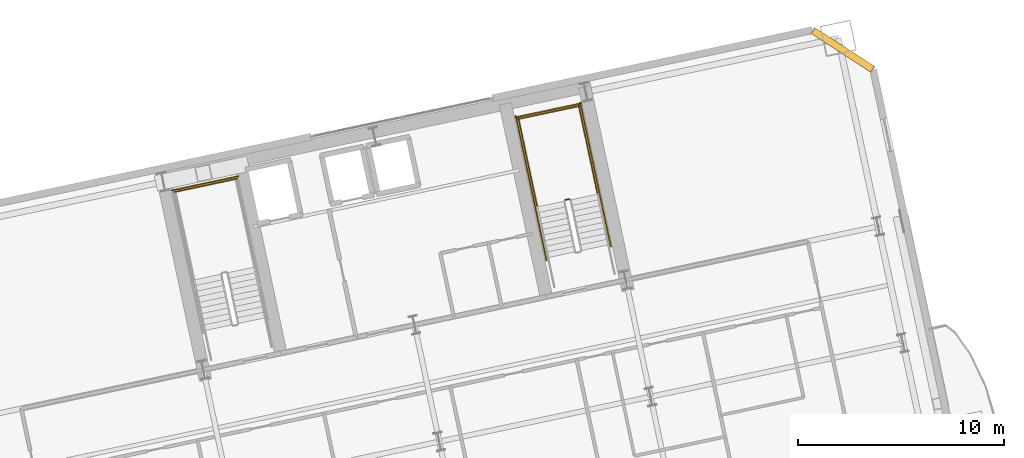
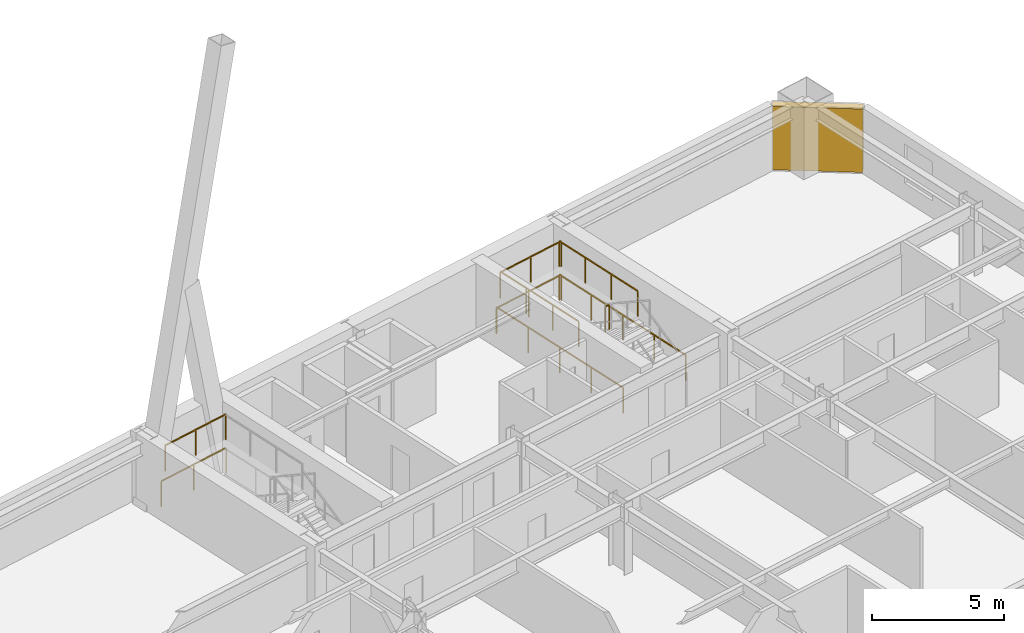
# One storey, part 24 of 25: 9 railings, 1 shading device.
"""IFC4 building model written with IfcOpenShell, lengths in metres."""

from ifc_helpers import new_model, si_unit, direction, frame, origin, origin_2d, place, context, subcontext, project, spatial, rectangle, extrude, material, layer, layer_set, type_object, element, save


model = new_model("IFC4")

# Units and contexts
model_context = context("Model", 3, precision=1e-05, world=origin(), true_north=direction((0.0, 1.0)))
body_context = subcontext(model_context, "Body", "Model", "MODEL_VIEW")
ifc_project = project(units=[si_unit("LENGTHUNIT", "METRE"), si_unit("AREAUNIT", "SQUARE_METRE"), si_unit("VOLUMEUNIT", "CUBIC_METRE"), si_unit("PLANEANGLEUNIT", "RADIAN"), si_unit("MASSUNIT", "GRAM", prefix="KILO")], contexts=[model_context])

# Site, building, storey
site_placement = place(None, origin())
site = spatial("IfcSite", under=ifc_project, at=site_placement, CompositionType="ELEMENT")
building_placement = place(site_placement, origin())
building = spatial("IfcBuilding", under=site, at=building_placement, Name="Haevon Station Towers", CompositionType="ELEMENT")
storey_placement = place(building_placement, frame((0.0, 0.0, 50.39990234375)))
storey = spatial("IfcBuildingStorey", under=building, at=storey_placement, Name="L12", CompositionType="ELEMENT", Elevation=50.39990234375)

# Railings
ifc_material_1 = material(Name="Steel S355", Category="steel")
railing_type = type_object("IfcRailingType", Name="GRD-STR1200", PredefinedType="GUARDRAIL", material=ifc_material_1)
railing_1_placement = place(storey_placement, frame((100.376220703125, 46.733154296875, 1.650146484375)))
element("IfcRailing", 1, at=railing_1_placement, inside=storey, type_object=railing_type, Name="L12 ST3 Stair Guard 5", PredefinedType="GUARDRAIL", context=body_context, shape_type="SweptSolid", body=[
    extrude(rectangle(XDim=0.048095703125, YDim=0.048095703125, at=origin_2d()), frame((0.0, 0.0, 1.17578125), z_axis=(-0.978146839882, -0.207915270313, 0.0), x_axis=(0.207915270313, -0.978146839882, 0.0)), (0.0, 0.0, 1.0), 3.099853515625),
    extrude(rectangle(XDim=0.0419921875, YDim=0.0419921875, at=origin_2d()), origin(), (0.0, 0.0, 1.0), 1.15185546875),
    extrude(rectangle(XDim=0.0419921875, YDim=0.0419921875, at=origin_2d()), frame((-1.51611328125, -0.322265625, 0.0)), (0.0, 0.0, 1.0), 1.15185546875),
    extrude(rectangle(XDim=0.0419921875, YDim=0.0419921875, at=origin_2d()), frame((-3.0322265625, -0.64453125, 0.0)), (0.0, 0.0, 1.0), 1.15185546875),
])
railing_2_placement = place(storey_placement, frame((100.453125, 46.8515625, 0.0)))
element("IfcRailing", 2, at=railing_2_placement, inside=storey, type_object=railing_type, Name="L12 ST3 Stair Guard 12", PredefinedType="GUARDRAIL", context=body_context, shape_type="SweptSolid", body=[
    extrude(rectangle(XDim=0.048095703125, YDim=0.048095703125, at=origin_2d()), frame((0.0, 0.0, 1.17578125), z_axis=(-0.978150764849, -0.207896804268, 0.0), x_axis=(0.207896804268, -0.978150764849, 0.0)), (0.0, 0.0, 1.0), 3.2998046875),
    extrude(rectangle(XDim=0.0419921875, YDim=0.0419921875, at=origin_2d()), origin(), (0.0, 0.0, 1.0), 1.15185546875),
    extrude(rectangle(XDim=0.0419921875, YDim=0.0419921875, at=origin_2d()), frame((-1.61376953125, -0.343017578125, 0.0)), (0.0, 0.0, 1.0), 1.15185546875),
    extrude(rectangle(XDim=0.0419921875, YDim=0.0419921875, at=origin_2d()), frame((-3.227783203125, -0.68603515625, 0.0)), (0.0, 0.0, 1.0), 1.15185546875),
])
railing_3_placement = place(storey_placement, frame((116.54541015625, 45.7431640625, 1.650146484375)))
element("IfcRailing", 3, at=railing_3_placement, inside=storey, type_object=railing_type, Name="L12 ST4 Stair Guard 2", PredefinedType="GUARDRAIL", context=body_context, shape_type="SweptSolid", body=[
    extrude(rectangle(XDim=0.048095703125, YDim=0.048095703125, at=origin_2d()), frame((0.0, 0.0, 1.17578125), z_axis=(-0.97826412705, -0.207362720198, 0.0), x_axis=(0.207362720198, -0.97826412705, 0.0)), (0.0, 0.0, 1.0), 0.2001953125),
    extrude(rectangle(XDim=0.0419921875, YDim=0.0419921875, at=origin_2d()), origin(), (0.0, 0.0, 1.0), 1.15185546875),
    extrude(rectangle(XDim=0.0419921875, YDim=0.0419921875, at=origin_2d()), frame((-0.19580078125, -0.04150390625, 0.0)), (0.0, 0.0, 1.0), 1.15185546875),
])
railing_4_placement = place(storey_placement, frame((117.925048828125, 45.9853515625, 1.650146484375)))
element("IfcRailing", 4, at=railing_4_placement, inside=storey, type_object=railing_type, Name="L12 ST4 Stair Guard 3", PredefinedType="GUARDRAIL", context=body_context, shape_type="SweptSolid", body=[
    extrude(rectangle(XDim=0.048095703125, YDim=0.048095703125, at=origin_2d()), frame((0.0, 0.0, 1.17578125), z_axis=(-0.207876551949, 0.978155069071, 0.0), x_axis=(-0.978155069071, -0.207876551949, 0.0)), (0.0, 0.0, 1.0), 4.429931640625),
    extrude(rectangle(XDim=0.0419921875, YDim=0.0419921875, at=origin_2d()), origin(), (0.0, 0.0, 1.0), 1.15185546875),
    extrude(rectangle(XDim=0.0419921875, YDim=0.0419921875, at=origin_2d()), frame((-0.306884765625, 1.4443359375, 0.0)), (0.0, 0.0, 1.0), 1.15185546875),
    extrude(rectangle(XDim=0.0419921875, YDim=0.0419921875, at=origin_2d()), frame((-0.614013671875, 2.888916015625, 0.0)), (0.0, 0.0, 1.0), 1.15185546875),
    extrude(rectangle(XDim=0.0419921875, YDim=0.0419921875, at=origin_2d()), frame((-0.9208984375, 4.333251953125, 0.0)), (0.0, 0.0, 1.0), 1.15185546875),
])
railing_5_placement = place(storey_placement, frame((114.99072265625, 45.361572265625, 1.650146484375)))
element("IfcRailing", 5, at=railing_5_placement, inside=storey, type_object=railing_type, Name="L12 ST4 Stair Guard 4", PredefinedType="GUARDRAIL", context=body_context, shape_type="SweptSolid", body=[
    extrude(rectangle(XDim=0.048095703125, YDim=0.048095703125, at=origin_2d()), frame((0.0, 0.0, 1.17578125), z_axis=(-0.207929280007, 0.978143861871, 0.0), x_axis=(-0.978143861871, -0.207929280007, 0.0)), (0.0, 0.0, 1.0), 4.43017578125),
    extrude(rectangle(XDim=0.0419921875, YDim=0.0419921875, at=origin_2d()), origin(), (0.0, 0.0, 1.0), 1.15185546875),
    extrude(rectangle(XDim=0.0419921875, YDim=0.0419921875, at=origin_2d()), frame((-0.30712890625, 1.4443359375, 0.0)), (0.0, 0.0, 1.0), 1.15185546875),
    extrude(rectangle(XDim=0.0419921875, YDim=0.0419921875, at=origin_2d()), frame((-0.614013671875, 2.888916015625, 0.0)), (0.0, 0.0, 1.0), 1.15185546875),
    extrude(rectangle(XDim=0.0419921875, YDim=0.0419921875, at=origin_2d()), frame((-0.921142578125, 4.333251953125, 0.0)), (0.0, 0.0, 1.0), 1.15185546875),
])
railing_6_placement = place(storey_placement, frame((117.0634765625, 50.280029296875, 1.650146484375)))
element("IfcRailing", 6, at=railing_6_placement, inside=storey, type_object=railing_type, Name="L12 ST4 Stair Guard 5", PredefinedType="GUARDRAIL", context=body_context, shape_type="SweptSolid", body=[
    extrude(rectangle(XDim=0.048095703125, YDim=0.048095703125, at=origin_2d()), frame((0.0, 0.0, 1.17578125), z_axis=(-0.978146839882, -0.207915270313, 0.0), x_axis=(0.207915270313, -0.978146839882, 0.0)), (0.0, 0.0, 1.0), 3.099853515625),
    extrude(rectangle(XDim=0.0419921875, YDim=0.0419921875, at=origin_2d()), origin(), (0.0, 0.0, 1.0), 1.15185546875),
    extrude(rectangle(XDim=0.0419921875, YDim=0.0419921875, at=origin_2d()), frame((-1.51611328125, -0.322265625, 0.0)), (0.0, 0.0, 1.0), 1.15185546875),
    extrude(rectangle(XDim=0.0419921875, YDim=0.0419921875, at=origin_2d()), frame((-3.0322265625, -0.64453125, 0.0)), (0.0, 0.0, 1.0), 1.15185546875),
])
railing_7_placement = place(storey_placement, frame((118.567626953125, 43.443359375, 0.0)))
element("IfcRailing", 7, at=railing_7_placement, inside=storey, type_object=railing_type, Name="L12 ST4 Stair Guard 10", PredefinedType="GUARDRAIL", context=body_context, shape_type="SweptSolid", body=[
    extrude(rectangle(XDim=0.048095703125, YDim=0.048095703125, at=origin_2d()), frame((0.0, 0.0, 1.17578125), z_axis=(-0.207908168386, 0.978148349443, 0.0), x_axis=(-0.978148349443, -0.207908168386, 0.0)), (0.0, 0.0, 1.0), 7.150146484375),
    extrude(rectangle(XDim=0.0419921875, YDim=0.0419921875, at=origin_2d()), origin(), (0.0, 0.0, 1.0), 1.15185546875),
    extrude(rectangle(XDim=0.0419921875, YDim=0.0419921875, at=origin_2d()), frame((-0.37158203125, 1.74853515625, 0.0)), (0.0, 0.0, 1.0), 1.15185546875),
    extrude(rectangle(XDim=0.0419921875, YDim=0.0419921875, at=origin_2d()), frame((-0.7431640625, 3.4970703125, 0.0)), (0.0, 0.0, 1.0), 1.15185546875),
    extrude(rectangle(XDim=0.0419921875, YDim=0.0419921875, at=origin_2d()), frame((-1.114990234375, 5.245361328125, 0.0)), (0.0, 0.0, 1.0), 1.15185546875),
    extrude(rectangle(XDim=0.0419921875, YDim=0.0419921875, at=origin_2d()), frame((-1.486572265625, 6.993896484375, 0.0)), (0.0, 0.0, 1.0), 1.15185546875),
])
railing_8_placement = place(storey_placement, frame((115.4375, 42.778076171875, 0.0)))
element("IfcRailing", 8, at=railing_8_placement, inside=storey, type_object=railing_type, Name="L12 ST4 Stair Guard 11", PredefinedType="GUARDRAIL", context=body_context, shape_type="SweptSolid", body=[
    extrude(rectangle(XDim=0.048095703125, YDim=0.048095703125, at=origin_2d()), frame((0.0, 0.0, 1.17578125), z_axis=(-0.207882442208, 0.978153817261, 0.0), x_axis=(-0.978153817261, -0.207882442208, 0.0)), (0.0, 0.0, 1.0), 7.14990234375),
    extrude(rectangle(XDim=0.0419921875, YDim=0.0419921875, at=origin_2d()), origin(), (0.0, 0.0, 1.0), 1.15185546875),
    extrude(rectangle(XDim=0.0419921875, YDim=0.0419921875, at=origin_2d()), frame((-0.37158203125, 1.74853515625, 0.0)), (0.0, 0.0, 1.0), 1.15185546875),
    extrude(rectangle(XDim=0.0419921875, YDim=0.0419921875, at=origin_2d()), frame((-0.7431640625, 3.496826171875, 0.0)), (0.0, 0.0, 1.0), 1.15185546875),
    extrude(rectangle(XDim=0.0419921875, YDim=0.0419921875, at=origin_2d()), frame((-1.11474609375, 5.2451171875, 0.0)), (0.0, 0.0, 1.0), 1.15185546875),
    extrude(rectangle(XDim=0.0419921875, YDim=0.0419921875, at=origin_2d()), frame((-1.486328125, 6.99365234375, 0.0)), (0.0, 0.0, 1.0), 1.15185546875),
])
railing_9_placement = place(storey_placement, frame((117.140380859375, 50.398681640625, 0.0)))
element("IfcRailing", 9, at=railing_9_placement, inside=storey, type_object=railing_type, Name="L12 ST4 Stair Guard 12", PredefinedType="GUARDRAIL", context=body_context, shape_type="SweptSolid", body=[
    extrude(rectangle(XDim=0.048095703125, YDim=0.048095703125, at=origin_2d()), frame((0.0, 0.0, 1.17578125), z_axis=(-0.978135717418, -0.207967589567, 0.0), x_axis=(0.207967589567, -0.978135717418, 0.0)), (0.0, 0.0, 1.0), 3.300048828125),
    extrude(rectangle(XDim=0.0419921875, YDim=0.0419921875, at=origin_2d()), origin(), (0.0, 0.0, 1.0), 1.15185546875),
    extrude(rectangle(XDim=0.0419921875, YDim=0.0419921875, at=origin_2d()), frame((-1.61376953125, -0.34326171875, 0.0)), (0.0, 0.0, 1.0), 1.15185546875),
    extrude(rectangle(XDim=0.0419921875, YDim=0.0419921875, at=origin_2d()), frame((-3.227783203125, -0.686279296875, 0.0)), (0.0, 0.0, 1.0), 1.15185546875),
])

# Shading device
ifc_material_2 = material(Name="Anodised aluminium 6063-T6", Category="aluminium")
ifc_layer = layer(ifc_material_2, 0.139892578125)
ifc_layer_set = layer_set([ifc_layer], Name="Anodised aluminium 6063-T6")
shading_device_type = type_object("IfcShadingDeviceType", Name="SHD-WIND-BAFFLE", PredefinedType="SHUTTER", material=ifc_layer_set)
shading_device_placement = place(storey_placement, frame((129.847900390625, 52.997314453125, 0.05029296875), z_axis=(0.0, 0.0, 1.0), x_axis=(0.838670519647, -0.544639109388, 0.0)))
element("IfcShadingDevice", 10, at=shading_device_placement, inside=storey, type_object=shading_device_type, Name="Tower 2 L12 Wind-Corner Aerofoil Baffle NEC", PredefinedType="SHUTTER", context=body_context, shape_type="SweptSolid", body=[
    extrude(rectangle(XDim=3.435546875, YDim=0.340087890625, at=origin_2d()), origin(), (0.0, 0.0, 1.0), 2.929931640625),
])

save(model, "model.ifc")
